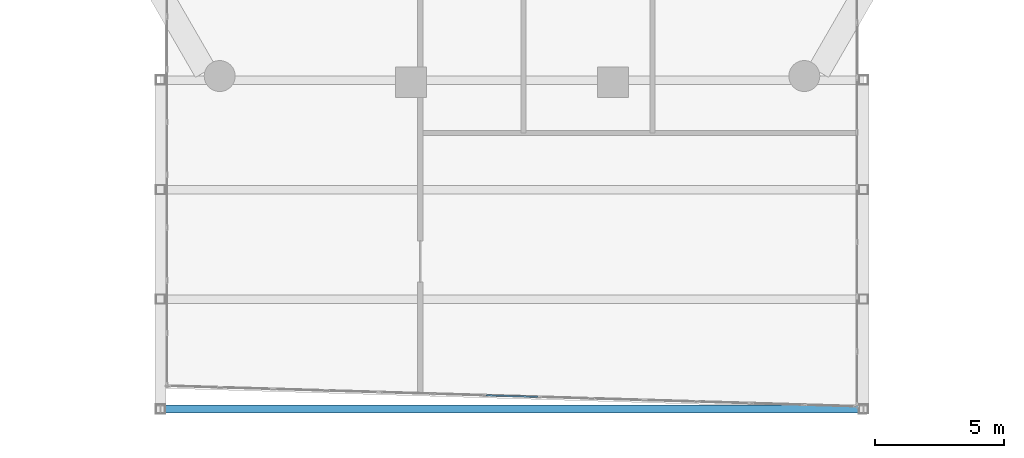
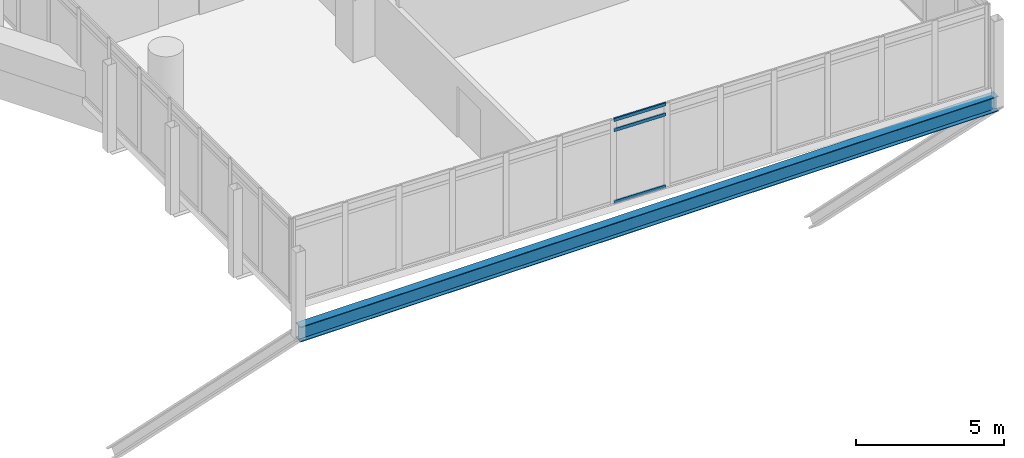
# One storey, part 6 of 37: 3 members, 1 beam, 1 element without a shape of its own.
"""IFC4 building model written with IfcOpenShell, lengths in metres."""

import ifcopenshell
import ifcopenshell.guid

model = None  # the IFC model being written
_history = None  # IfcOwnerHistory: only IFC2X3 demands one
_inside = {}  # id of a spatial element -> (the spatial element, [elements in it])
_under = {}  # id of a project, library or spatial element -> (it, [spatial elements below it])
_declared = {}  # id of a project -> (the project, [libraries it declares])
_typed = {}  # id of a type object -> (the type object, [elements of that type])
_made_of = {}  # id of a material, layer set ... -> (it, [elements and type objects made of it])


def new_model(schema):
    """Start an empty IFC model of exactly this schema.

    Asked for "IFC4X3", IfcOpenShell would pick the latest addendum, in which some entities
    have other attributes; the version numbers below select the first issue.
    IFC2X3 requires an IfcOwnerHistory on every rooted entity: one is made here for all.
    """
    global model, _history
    if schema == "IFC4X3":
        model = ifcopenshell.file(schema_version=(4, 3, 0, 0))
    else:
        model = ifcopenshell.file(schema=schema)
    _inside.clear()
    _under.clear()
    _declared.clear()
    _typed.clear()
    _made_of.clear()
    _history = None
    if model.schema == "IFC2X3":
        org = make("IfcOrganization", Name="unknown")
        user = make(
            "IfcPersonAndOrganization",
            ThePerson=make("IfcPerson", FamilyName="unknown"),
            TheOrganization=org,
        )
        app = make(
            "IfcApplication",
            ApplicationDeveloper=org,
            Version="unknown",
            ApplicationFullName="unknown",
            ApplicationIdentifier="unknown",
        )
        _history = make(
            "IfcOwnerHistory",
            OwningUser=user,
            OwningApplication=app,
            ChangeAction="ADDED",
            CreationDate=0,
        )
    return model


def make(cls, **values):
    """One entity of the class cls with the attributes given. An attribute that is None is left unset."""
    return model.create_entity(
        cls, **{name: value for name, value in values.items() if value is not None}
    )


def rooted(cls, **values):
    """An entity with a GlobalId (a new one), such as an element, a storey or a relation."""
    return make(cls, GlobalId=ifcopenshell.guid.new(), OwnerHistory=_history, **values)


def si_unit(unit_type, name, prefix=None):
    """IfcSIUnit, for example si_unit("LENGTHUNIT", "METRE", prefix="MILLI")."""
    return make("IfcSIUnit", UnitType=unit_type, Prefix=prefix, Name=name)


def assignment(units):
    """IfcUnitAssignment: the units of a project."""
    return None if units is None else make("IfcUnitAssignment", Units=units)


def point(xyz):
    """IfcCartesianPoint."""
    return None if xyz is None else make("IfcCartesianPoint", Coordinates=xyz)


def direction(xyz):
    """IfcDirection."""
    return None if xyz is None else make("IfcDirection", DirectionRatios=xyz)


def frame(location, z_axis=None, x_axis=None):
    """IfcAxis2Placement3D, a coordinate frame: its origin and axes. An axis left out is left unset."""
    return make(
        "IfcAxis2Placement3D",
        Location=point(location),
        Axis=direction(z_axis),
        RefDirection=direction(x_axis),
    )


def frame_2d(location, x_axis=None):
    """IfcAxis2Placement2D, a coordinate frame in the plane: its origin and x axis."""
    return make(
        "IfcAxis2Placement2D", Location=point(location), RefDirection=direction(x_axis)
    )


def origin():
    """The frame at (0, 0, 0) with its axes left unset."""
    return frame((0.0, 0.0, 0.0))


def origin_2d():
    """The frame at (0, 0) in the plane with its x axis left unset."""
    return frame_2d((0.0, 0.0))


def place(relative_to, where):
    """IfcLocalPlacement: puts the frame where relative to a parent placement (None: the world)."""
    return make(
        "IfcLocalPlacement", PlacementRelTo=relative_to, RelativePlacement=where
    )


def context(
    kind, dimensions, precision=None, world=None, true_north=None, identifier=None
):
    """IfcGeometricRepresentationContext, for example the 3D "Model" context."""
    return make(
        "IfcGeometricRepresentationContext",
        ContextIdentifier=identifier,
        ContextType=kind,
        CoordinateSpaceDimension=dimensions,
        Precision=precision,
        WorldCoordinateSystem=world,
        TrueNorth=true_north,
    )


def subcontext(parent, identifier, kind, view, scale=None):
    """IfcGeometricRepresentationSubContext, for example "Body" below "Model"."""
    return make(
        "IfcGeometricRepresentationSubContext",
        ContextIdentifier=identifier,
        ContextType=kind,
        ParentContext=parent,
        TargetScale=scale,
        TargetView=view,
    )


def project(units=None, contexts=None):
    """IfcProject with its units and contexts."""
    return rooted(
        "IfcProject",
        Name="project",
        RepresentationContexts=contexts,
        UnitsInContext=assignment(units),
    )


def spatial(cls, under=None, at=None, **own):
    """A site, building, storey or space (cls), placed at a placement, below another one or the project."""
    s = rooted(cls, ObjectPlacement=at, **own)
    if under is not None:
        _under.setdefault(under.id(), (under, []))[1].append(s)
    return s


def profile(cls, at=None, kind="AREA", **sizes):
    """A parametric profile (cls). Its sizes go by their IFC names, for example OverallWidth=200.0."""
    return make(cls, ProfileType=kind, Position=at, **sizes)


def hollow_rectangle(**sizes):
    """IfcRectangleHollowProfileDef."""
    return profile("IfcRectangleHollowProfileDef", **sizes)


def i_section(**sizes):
    """IfcIShapeProfileDef."""
    return profile("IfcIShapeProfileDef", **sizes)


def extrude(swept, where, along, depth):
    """IfcExtrudedAreaSolid: the profile swept, set in the frame where, extruded along a direction by depth."""
    return make(
        "IfcExtrudedAreaSolid",
        SweptArea=swept,
        Position=where,
        ExtrudedDirection=direction(along),
        Depth=depth,
    )


def shape(context_of_items, identifier, shape_type, items):
    """IfcShapeRepresentation: the items that make up one representation, for example the "Body"."""
    return make(
        "IfcShapeRepresentation",
        ContextOfItems=context_of_items,
        RepresentationIdentifier=identifier,
        RepresentationType=shape_type,
        Items=items,
    )


def material(Name=None, Category=None):
    """IfcMaterial."""
    return make("IfcMaterial", Name=Name, Category=Category)


def material_profile(
    of_material, cross_section, Name=None, Category=None, Priority=None
):
    """IfcMaterialProfile: a cross section and its material."""
    return make(
        "IfcMaterialProfile",
        Name=Name,
        Material=of_material,
        Profile=cross_section,
        Priority=Priority,
        Category=Category,
    )


def profile_set(profiles, Name=None, composite=None):
    """IfcMaterialProfileSet."""
    return make(
        "IfcMaterialProfileSet",
        Name=Name,
        MaterialProfiles=profiles,
        CompositeProfile=composite,
    )


def made_of(thing, what):
    """Note that an element or type object is made of a material, layer set ...; save() writes the relation."""
    if what is not None:
        _made_of.setdefault(what.id(), (what, []))[1].append(thing)
    return thing


def type_object(cls, material=None, **own):
    """A type object (cls), such as IfcWallType, which elements share."""
    return made_of(rooted(cls, **own), material)


def element(
    cls,
    number,
    at=None,
    inside=None,
    cuts=None,
    type_object=None,
    material=None,
    context=None,
    identifier="Body",
    shape_type=None,
    held_by="IfcProductDefinitionShape",
    body=None,
    shapes=None,
    **own,
):
    """One element of the class cls, such as IfcWall. Its Tag is "e" and its number.

    at: its placement. inside: the storey or other place that contains it. cuts: it is an
    opening in that element (IfcRelVoidsElement). A single representation is given by context,
    identifier, shape_type and body (its items); several are given by shapes. held_by: the class
    of the entity that holds the representations. save() writes the other relations.
    """
    e = rooted(cls, Tag="e%d" % number, ObjectPlacement=at, **own)
    if body is not None:
        shapes = [shape(context, identifier, shape_type, body)]
    if shapes is not None:
        e.Representation = make(held_by, Representations=shapes)
    if inside is not None:
        _inside.setdefault(inside.id(), (inside, []))[1].append(e)
    if cuts is not None:
        rooted(
            "IfcRelVoidsElement", RelatingBuildingElement=cuts, RelatedOpeningElement=e
        )
    if type_object is not None:
        _typed.setdefault(type_object.id(), (type_object, []))[1].append(e)
    return made_of(e, material)


def aggregate(whole, parts):
    """IfcRelAggregates: a whole, such as a stair, and the parts it consists of."""
    return rooted("IfcRelAggregates", RelatingObject=whole, RelatedObjects=parts)


def save(model, path):
    """Write the relations noted so far, then the file.

    IfcRelAggregates (storeys below a building ...), IfcRelContainedInSpatialStructure (elements
    in a storey), IfcRelDefinesByType, IfcRelAssociatesMaterial and IfcRelDeclares: one each for
    every whole, place, type object, material and project.
    """
    for whole, parts in _under.values():
        aggregate(whole, parts)
    for where, things in _inside.values():
        rooted(
            "IfcRelContainedInSpatialStructure",
            RelatedElements=things,
            RelatingStructure=where,
        )
    for kind, things in _typed.values():
        rooted("IfcRelDefinesByType", RelatedObjects=things, RelatingType=kind)
    for what, things in _made_of.values():
        rooted("IfcRelAssociatesMaterial", RelatedObjects=things, RelatingMaterial=what)
    for by, libraries in _declared.values():
        rooted("IfcRelDeclares", RelatingContext=by, RelatedDefinitions=libraries)
    model.write(path)


model = new_model("IFC4")

# Units and contexts
model_context = context("Model", 3, precision=1e-05, world=origin(), true_north=direction((0.0, 1.0)))
body_context = subcontext(model_context, "Body", "Model", "MODEL_VIEW")
ifc_project = project(units=[si_unit("LENGTHUNIT", "METRE"), si_unit("AREAUNIT", "SQUARE_METRE"), si_unit("VOLUMEUNIT", "CUBIC_METRE"), si_unit("PLANEANGLEUNIT", "RADIAN"), si_unit("MASSUNIT", "GRAM", prefix="KILO")], contexts=[model_context])

# Site, building, storey
site_placement = place(None, origin())
site = spatial("IfcSite", under=ifc_project, at=site_placement, CompositionType="ELEMENT")
building_placement = place(site_placement, origin())
building = spatial("IfcBuilding", under=site, at=building_placement, Name="Ostrander Bayou Hotel Tower", CompositionType="ELEMENT")
storey_placement = place(building_placement, frame((0.0, 0.0, 93.0)))
storey = spatial("IfcBuildingStorey", under=building, at=storey_placement, Name="L23", CompositionType="ELEMENT", Elevation=93.0)

# Curtain wall, members
ifc_material_1 = material(Name="Aluminium and clear glass", Category="aluminium")
curtain_wall_type = type_object("IfcCurtainWallType", Name="CW-BAR glazed wall", PredefinedType="NOTDEFINED", material=ifc_material_1)
curtain_wall_placement = place(storey_placement, origin())
curtain_wall = element("IfcCurtainWall", 1, at=curtain_wall_placement, inside=storey, type_object=curtain_wall_type, Name="CW-BAR L23:SB2S:T", PredefinedType="NOTDEFINED")
ifc_material_2 = material(Name="Aluminium", Category="aluminium")
ifc_material_profile_1 = material_profile(ifc_material_2, hollow_rectangle(XDim=0.06005859375, YDim=0.1298828125, WallThickness=0.00390625, at=origin_2d()))
ifc_profile_set_1 = profile_set([ifc_material_profile_1], Name="Aluminium")
member_type = type_object("IfcMemberType", Name="CW-BR transom 60 x 130 mm", PredefinedType="USERDEFINED", material=ifc_profile_set_1)
member_1_placement = place(storey_placement, frame((-0.998291015625, -31.67041015625, 0.030029296875), z_axis=(0.999558835181, -0.029700757758, 0.0), x_axis=(0.029700757758, 0.999558835181, 0.0)))
member_1 = element("IfcMember", 2, at=member_1_placement, type_object=member_type, Name="CW-BAR transom 7.1", ObjectType="TRANSOM", PredefinedType="USERDEFINED", context=body_context, shape_type="SweptSolid", body=[
    extrude(hollow_rectangle(XDim=0.06005859375, YDim=0.1298828125, WallThickness=0.00390625, at=origin_2d()), origin(), (0.0, 0.0, 1.0), 1.99755859375),
])
member_2_placement = place(storey_placement, frame((-0.998291015625, -31.67041015625, 3.0), z_axis=(0.999558835181, -0.029700757758, 0.0), x_axis=(0.029700757758, 0.999558835181, 0.0)))
member_2 = element("IfcMember", 3, at=member_2_placement, type_object=member_type, Name="CW-BAR transom 7.2", ObjectType="TRANSOM", PredefinedType="USERDEFINED", context=body_context, shape_type="SweptSolid", body=[
    extrude(hollow_rectangle(XDim=0.06005859375, YDim=0.1298828125, WallThickness=0.00390625, at=origin_2d()), origin(), (0.0, 0.0, 1.0), 1.99755859375),
])
member_3_placement = place(storey_placement, frame((-0.998291015625, -31.67041015625, 3.419921875), z_axis=(0.999558835181, -0.029700757758, 0.0), x_axis=(0.029700757758, 0.999558835181, 0.0)))
member_3 = element("IfcMember", 4, at=member_3_placement, type_object=member_type, Name="CW-BAR transom 7.3", ObjectType="TRANSOM", PredefinedType="USERDEFINED", context=body_context, shape_type="SweptSolid", body=[
    extrude(hollow_rectangle(XDim=0.06005859375, YDim=0.1298828125, WallThickness=0.00390625, at=origin_2d()), origin(), (0.0, 0.0, 1.0), 1.99755859375),
])
aggregate(curtain_wall, [member_1, member_2, member_3])

# Beam
ifc_material_3 = material(Name="Steel ASTM A992", Category="steel")
ifc_material_profile_2 = material_profile(ifc_material_3, i_section(OverallWidth=0.32763671875, OverallDepth=0.621826171875, WebThickness=0.015380859375, FlangeThickness=0.0244140625, at=origin_2d()))
ifc_profile_set_2 = profile_set([ifc_material_profile_2], Name="Steel ASTM A992")
beam_type = type_object("IfcBeamType", Name="TF1 bar floor beam W24x131", PredefinedType="BEAM", material=ifc_profile_set_2)
beam_placement = place(storey_placement, frame((-13.6201171875, -32.199951171875, -0.61083984375), z_axis=(1.0, 0.0, 0.0), x_axis=(0.0, 1.0, 0.0)))
element("IfcBeam", 5, at=beam_placement, inside=storey, type_object=beam_type, Name="TF1 SB2S L1-4", PredefinedType="BEAM", context=body_context, shape_type="SweptSolid", body=[
    extrude(i_section(OverallWidth=0.32763671875, OverallDepth=0.621826171875, WebThickness=0.015380859375, FlangeThickness=0.0244140625, at=origin_2d()), origin(), (0.0, 0.0, 1.0), 27.240234375),
])

save(model, "model.ifc")
